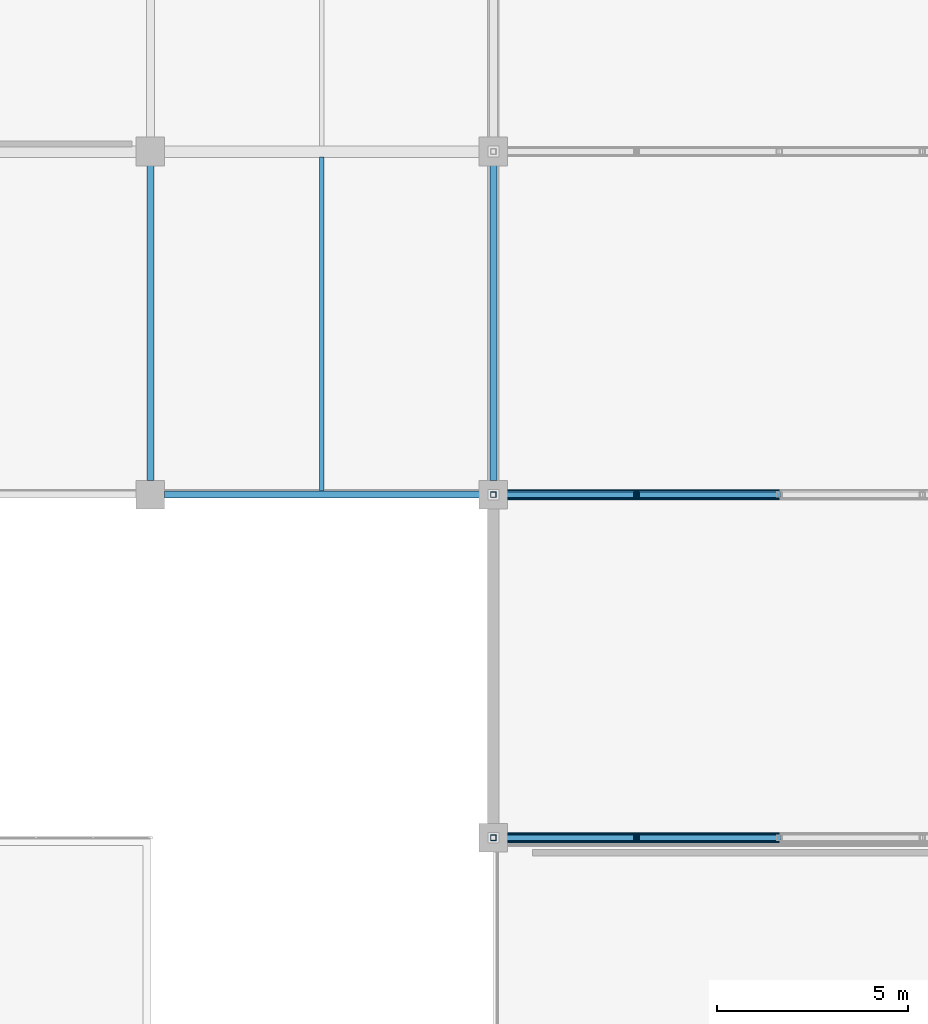
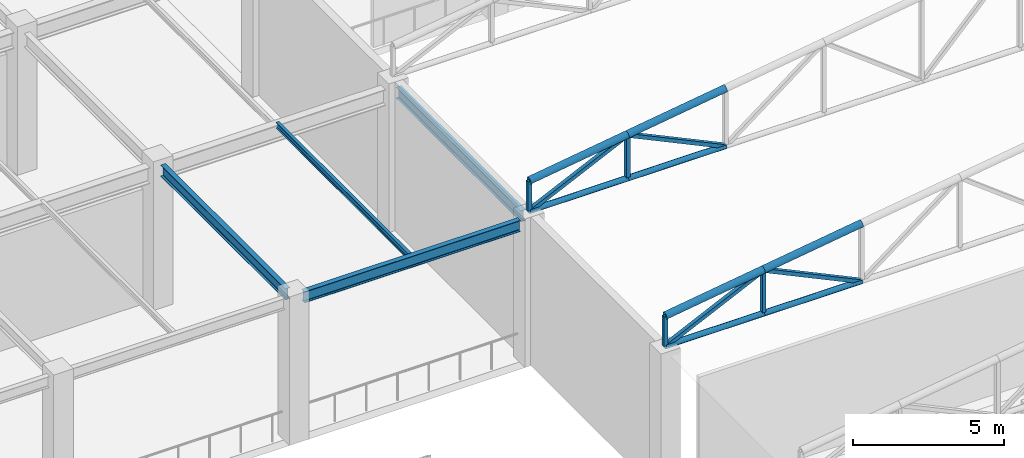
# One storey, part 46 of 223: 16 members, 4 beams.
"""IFC4 building model written with IfcOpenShell, lengths in metres."""

from ifc_helpers import new_model, si_unit, direction, frame, origin, origin_2d, place, context, subcontext, project, spatial, hollow_rectangle, hollow_circle, i_section, extrude, material, material_profile, profile_set, type_object, element, save


model = new_model("IFC4")

# Units and contexts
model_context = context("Model", 3, precision=1e-05, world=origin(), true_north=direction((0.0, 1.0)))
body_context = subcontext(model_context, "Body", "Model", "MODEL_VIEW")
ifc_project = project(units=[si_unit("LENGTHUNIT", "METRE"), si_unit("AREAUNIT", "SQUARE_METRE"), si_unit("VOLUMEUNIT", "CUBIC_METRE"), si_unit("PLANEANGLEUNIT", "RADIAN"), si_unit("MASSUNIT", "GRAM", prefix="KILO")], contexts=[model_context])

# Site, building, storey
site_placement = place(None, origin())
site = spatial("IfcSite", under=ifc_project, at=site_placement, CompositionType="ELEMENT")
building_placement = place(site_placement, origin())
building = spatial("IfcBuilding", under=site, at=building_placement, Name="Dornveld Trade and Exhibition Forum", CompositionType="ELEMENT")
storey_placement = place(building_placement, frame((0.0, 0.0, 6.0)))
storey = spatial("IfcBuildingStorey", under=building, at=storey_placement, Name="L01", CompositionType="ELEMENT", Elevation=6.0)

# Beams
ifc_material_1 = material(Name="Steel S355J2", Category="steel")
ifc_material_profile_1 = material_profile(ifc_material_1, i_section(OverallWidth=0.1201171875, OverallDepth=0.239990234375, WebThickness=0.006103515625, FlangeThickness=0.009765625, FilletRadius=0.014892578125, at=origin_2d()), Name="IPE 240")
ifc_profile_set_1 = profile_set([ifc_material_profile_1], Name="Steel S355J2")
beam_type_1 = type_object("IfcBeamType", Name="BM-JOIST-240", PredefinedType="JOIST", material=ifc_profile_set_1)
beam_placement = place(storey_placement, frame((148.5, 27.092041015625, 5.659912109375), z_axis=(0.0, 1.0, 0.0), x_axis=(-1.0, 0.0, 0.0)))
element("IfcBeam", 1, at=beam_placement, inside=storey, type_object=beam_type_1, Name="L01 secondary joist 1735", PredefinedType="JOIST", context=body_context, shape_type="SweptSolid", body=[
    extrude(i_section(OverallWidth=0.1201171875, OverallDepth=0.239990234375, WebThickness=0.006103515625, FlangeThickness=0.009765625, FilletRadius=0.014892578125, at=origin_2d()), origin(), (0.0, 0.0, 1.0), 8.760986328125),
])
ifc_material_2 = material(Name="Steel S355J2", Category="steel")
ifc_material_profile_2 = material_profile(ifc_material_2, i_section(OverallWidth=0.18994140625, OverallDepth=0.449951171875, WebThickness=0.009521484375, FlangeThickness=0.0146484375, FilletRadius=0.02099609375, at=origin_2d()), Name="IPE 450")
ifc_profile_set_2 = profile_set([ifc_material_profile_2], Name="Steel S355J2")
beam_type_2 = type_object("IfcBeamType", Name="BM-SEC-450", PredefinedType="BEAM", material=ifc_profile_set_2)
for number, where, z_axis, x_axis, name in (
    (2, (144.37109375, 27.0, 5.554931640625), (1.0, 0.0, 0.0), (0.0, 1.0, 0.0), "L01 X-girder 1713"),
    (3, (144.0, 27.37109375, 5.554931640625), (0.0, 1.0, 0.0), (-1.0, 0.0, 0.0), "L01 Y-girder 1727"),
    (4, (153.0, 27.37109375, 5.554931640625), (0.0, 1.0, 0.0), (-1.0, 0.0, 0.0), "L01 Y-girder 1728"),
):
    element("IfcBeam", number, at=place(storey_placement, frame(where, z_axis=z_axis, x_axis=x_axis)), inside=storey, type_object=beam_type_2, Name=name, PredefinedType="BEAM", context=body_context, shape_type="SweptSolid", body=[
        extrude(i_section(OverallWidth=0.18994140625, OverallDepth=0.449951171875, WebThickness=0.009521484375, FlangeThickness=0.0146484375, FilletRadius=0.02099609375, at=origin_2d()), origin(), (0.0, 0.0, 1.0), 8.2578125),
    ])

# Members
ifc_material_3 = material(Name="Steel S355J2", Category="steel")
ifc_material_profile_3 = material_profile(ifc_material_3, hollow_rectangle(XDim=0.14990234375, YDim=0.14990234375, WallThickness=0.008056640625, at=origin_2d()), Name="SHS 150x150x8")
ifc_profile_set_3 = profile_set([ifc_material_profile_3], Name="Steel S355J2")
member_type_1 = type_object("IfcMemberType", Name="MEM-ARCH-STR", PredefinedType="STRUT", material=ifc_profile_set_3)
member_1_placement = place(storey_placement, frame((153.0, 18.0, 5.97998046875), z_axis=(0.0, 0.0, 1.0), x_axis=(1.0, 0.0, 0.0)))
element("IfcMember", 5, at=member_1_placement, inside=storey, type_object=member_type_1, Name="Congress roof truss 3 post 1", PredefinedType="STRUT", context=body_context, shape_type="SweptSolid", body=[
    extrude(hollow_rectangle(XDim=0.14990234375, YDim=0.14990234375, WallThickness=0.008056640625, at=origin_2d()), origin(), (0.0, 0.0, 1.0), 1.219970703125),
])
member_2_placement = place(storey_placement, frame((156.75, 18.0, 5.97998046875), z_axis=(0.0, 0.0, 1.0), x_axis=(1.0, 0.0, 0.0)))
element("IfcMember", 6, at=member_2_placement, inside=storey, type_object=member_type_1, Name="Congress roof truss 3 post 2", PredefinedType="STRUT", context=body_context, shape_type="SweptSolid", body=[
    extrude(hollow_rectangle(XDim=0.14990234375, YDim=0.14990234375, WallThickness=0.008056640625, at=origin_2d()), origin(), (0.0, 0.0, 1.0), 1.77001953125),
])
member_3_placement = place(storey_placement, frame((153.0, 27.0, 5.97998046875), z_axis=(0.0, 0.0, 1.0), x_axis=(1.0, 0.0, 0.0)))
element("IfcMember", 7, at=member_3_placement, inside=storey, type_object=member_type_1, Name="Congress roof truss 4 post 1", PredefinedType="STRUT", context=body_context, shape_type="SweptSolid", body=[
    extrude(hollow_rectangle(XDim=0.14990234375, YDim=0.14990234375, WallThickness=0.008056640625, at=origin_2d()), origin(), (0.0, 0.0, 1.0), 1.219970703125),
])
member_4_placement = place(storey_placement, frame((156.75, 27.0, 5.97998046875), z_axis=(0.0, 0.0, 1.0), x_axis=(1.0, 0.0, 0.0)))
element("IfcMember", 8, at=member_4_placement, inside=storey, type_object=member_type_1, Name="Congress roof truss 4 post 2", PredefinedType="STRUT", context=body_context, shape_type="SweptSolid", body=[
    extrude(hollow_rectangle(XDim=0.14990234375, YDim=0.14990234375, WallThickness=0.008056640625, at=origin_2d()), origin(), (0.0, 0.0, 1.0), 1.77001953125),
])
ifc_material_4 = material(Name="Steel S355J2", Category="steel")
ifc_material_profile_4 = material_profile(ifc_material_4, hollow_circle(Radius=0.109619140625, WallThickness=0.010009765625, at=origin_2d()), Name="CHS 219.1x10")
ifc_profile_set_4 = profile_set([ifc_material_profile_4], Name="Steel S355J2")
member_type_2 = type_object("IfcMemberType", Name="MEM-CONG-BC", PredefinedType="CHORD", material=ifc_profile_set_4)
for number, where, z_axis, x_axis, name in (
    (9, (153.0, 18.0, 5.97998046875), (1.0, 0.0, 0.0), (0.0, 1.0, 0.0), "Congress roof truss 3 bottom chord 1"),
    (10, (156.75, 18.0, 5.97998046875), (1.0, 0.0, 0.0), (0.0, 1.0, 0.0), "Congress roof truss 3 bottom chord 2"),
    (11, (153.0, 27.0, 5.97998046875), (1.0, 0.0, 0.0), (0.0, 1.0, 0.0), "Congress roof truss 4 bottom chord 1"),
    (12, (156.75, 27.0, 5.97998046875), (1.0, 0.0, 0.0), (0.0, 1.0, 0.0), "Congress roof truss 4 bottom chord 2"),
):
    element("IfcMember", number, at=place(storey_placement, frame(where, z_axis=z_axis, x_axis=x_axis)), inside=storey, type_object=member_type_2, Name=name, PredefinedType="CHORD", context=body_context, shape_type="SweptSolid", body=[
        extrude(hollow_circle(Radius=0.109619140625, WallThickness=0.010009765625, at=origin_2d()), origin(), (0.0, 0.0, 1.0), 3.75),
    ])
ifc_material_5 = material(Name="Steel S355J2", Category="steel")
ifc_material_profile_5 = material_profile(ifc_material_5, hollow_circle(Radius=0.136474609375, WallThickness=0.012451171875, at=origin_2d()), Name="CHS 273x12.5")
ifc_profile_set_5 = profile_set([ifc_material_profile_5], Name="Steel S355J2")
member_type_3 = type_object("IfcMemberType", Name="MEM-CONG-TC", PredefinedType="CHORD", material=ifc_profile_set_5)
for number, where, z_axis, x_axis, name in (
    (13, (153.0, 18.0, 7.199951171875), (0.989413064489, 0.0, 0.145126799108), (0.0, 1.0, 0.0), "Congress roof truss 3 top chord 1"),
    (14, (156.75, 18.0, 7.75), (0.989413064489, 0.0, 0.145126799108), (0.0, 1.0, 0.0), "Congress roof truss 3 top chord 2"),
    (15, (153.0, 27.0, 7.199951171875), (0.989413064489, 0.0, 0.145126799108), (0.0, 1.0, 0.0), "Congress roof truss 4 top chord 1"),
    (16, (156.75, 27.0, 7.75), (0.989413064489, 0.0, 0.145126799108), (0.0, 1.0, 0.0), "Congress roof truss 4 top chord 2"),
):
    element("IfcMember", number, at=place(storey_placement, frame(where, z_axis=z_axis, x_axis=x_axis)), inside=storey, type_object=member_type_3, Name=name, PredefinedType="CHORD", context=body_context, shape_type="SweptSolid", body=[
        extrude(hollow_circle(Radius=0.136474609375, WallThickness=0.012451171875, at=origin_2d()), origin(), (0.0, 0.0, 1.0), 3.7900390625),
    ])
ifc_material_6 = material(Name="Steel S355J2", Category="steel")
ifc_material_profile_6 = material_profile(ifc_material_6, hollow_rectangle(XDim=0.14990234375, YDim=0.14990234375, WallThickness=0.008056640625, at=origin_2d()), Name="SHS 150x150x8")
ifc_profile_set_6 = profile_set([ifc_material_profile_6], Name="Steel S355J2")
member_type_4 = type_object("IfcMemberType", Name="MEM-CONG-WEB", PredefinedType="BRACE", material=ifc_profile_set_6)
for number, where, z_axis, x_axis, name in (
    (17, (153.0, 18.0, 5.97998046875), (0.904324408902, 0.0, 0.426845831025), (0.0, 1.0, 0.0), "Congress roof truss 3 web 1"),
    (18, (160.5, 18.0, 5.97998046875), (-0.904324408902, 0.0, 0.426845831025), (0.0, -1.0, 0.0), "Congress roof truss 3 web 2"),
    (19, (153.0, 27.0, 5.97998046875), (0.904324408902, 0.0, 0.426845831025), (0.0, 1.0, 0.0), "Congress roof truss 4 web 1"),
    (20, (160.5, 27.0, 5.97998046875), (-0.904324408902, 0.0, 0.426845831025), (0.0, -1.0, 0.0), "Congress roof truss 4 web 2"),
):
    element("IfcMember", number, at=place(storey_placement, frame(where, z_axis=z_axis, x_axis=x_axis)), inside=storey, type_object=member_type_4, Name=name, PredefinedType="BRACE", context=body_context, shape_type="SweptSolid", body=[
        extrude(hollow_rectangle(XDim=0.14990234375, YDim=0.14990234375, WallThickness=0.008056640625, at=origin_2d()), origin(), (0.0, 0.0, 1.0), 4.146728515625),
    ])

save(model, "model.ifc")
